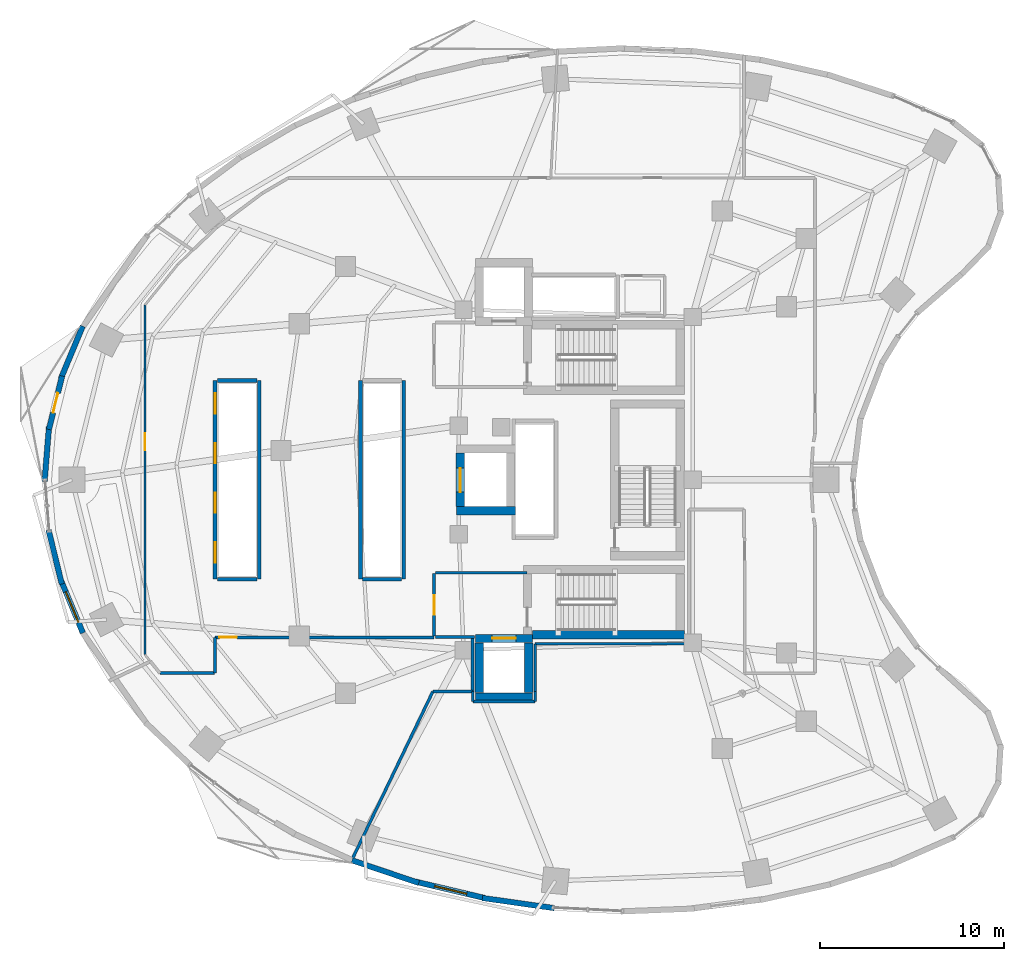
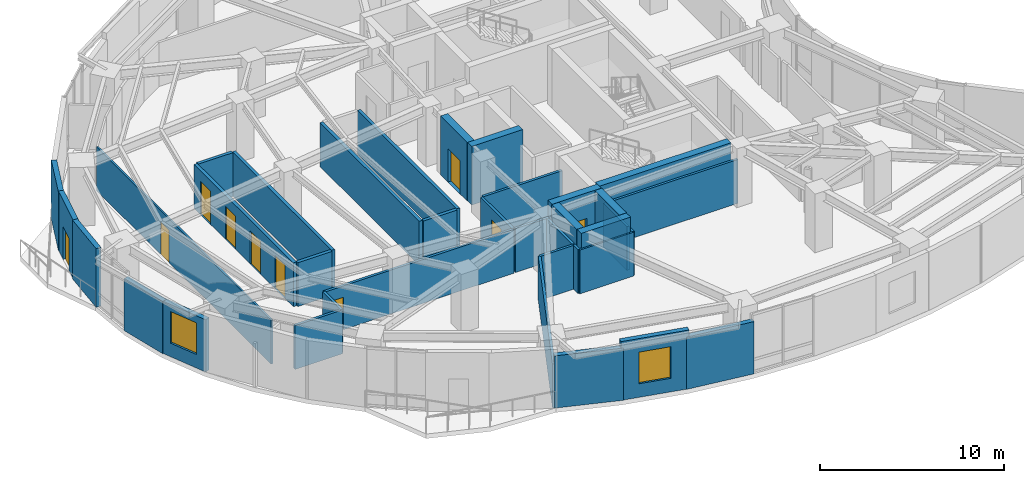
# One storey, part 8 of 13: 37 walls, 10 doors, 2 windows, 12 openings.
"""IFC4 building model written with IfcOpenShell, lengths in metres."""

from ifc_helpers import new_model, si_unit, direction, frame, frame_2d, origin, place, context, subcontext, project, spatial, rectangle, extrude, material, layer, layer_set, type_object, element, fill, save


model = new_model("IFC4")

# Units and contexts
model_context = context("Model", 3, precision=1e-05, world=origin(), true_north=direction((0.0, 1.0)))
body_context = subcontext(model_context, "Body", "Model", "MODEL_VIEW")
ifc_project = project(units=[si_unit("LENGTHUNIT", "METRE"), si_unit("AREAUNIT", "SQUARE_METRE"), si_unit("VOLUMEUNIT", "CUBIC_METRE"), si_unit("PLANEANGLEUNIT", "RADIAN"), si_unit("MASSUNIT", "GRAM", prefix="KILO")], contexts=[model_context])

# Site, building, storey
site_placement = place(None, origin())
site = spatial("IfcSite", under=ifc_project, at=site_placement, CompositionType="ELEMENT")
building_placement = place(site_placement, origin())
building = spatial("IfcBuilding", under=site, at=building_placement, Name="Korentha Bioscience Tower", CompositionType="ELEMENT")
storey_placement = place(building_placement, frame((0.0, 0.0, 67.800048828125)))
storey = spatial("IfcBuildingStorey", under=building, at=storey_placement, Name="L15", CompositionType="ELEMENT", Elevation=67.800048828125)

# Walls
ifc_material_1 = material(Name="Double-Stud Acoustic Gypsum", Category="gypsum")
ifc_layer_1 = layer(ifc_material_1, 0.14990234375, Name="Double-Stud Acoustic Gypsum")
ifc_layer_set_1 = layer_set([ifc_layer_1], Name="Double-Stud Acoustic Gypsum (IW-L150)")
wall_type_1 = type_object("IfcWallType", Name="Acoustic Laboratory Partition Wall 150", PredefinedType="PARTITIONING", material=ifc_layer_set_1)
wall_1_placement = place(storey_placement, frame((25.60400390625, 14.949951171875, 0.0), z_axis=(0.0, 0.0, 1.0), x_axis=(1.0, 0.0, 0.0)))
element("IfcWall", 1, at=wall_1_placement, inside=storey, type_object=wall_type_1, Name="L15 Interior Partition 017", PredefinedType="PARTITIONING", context=body_context, shape_type="SweptSolid", body=[
    extrude(rectangle(XDim=3.391845703125, YDim=0.14990234375, at=frame_2d((1.69580078125, 0.0))), origin(), (0.0, 0.0, 1.0), 2.909912109375),
])
wall_2_placement = place(storey_placement, frame((29.0, 14.9541015625, 0.0), z_axis=(0.0, 0.0, 1.0), x_axis=(0.0, 1.0, 0.0)))
element("IfcWall", 2, at=wall_2_placement, inside=storey, type_object=wall_type_1, Name="L15 Interior Partition 018", PredefinedType="PARTITIONING", context=body_context, shape_type="SweptSolid", body=[
    extrude(rectangle(XDim=0.543701171875, YDim=0.14990234375, at=frame_2d((0.27197265625, 0.0))), origin(), (0.0, 0.0, 1.0), 2.909912109375),
])
wall_3_placement = place(storey_placement, frame((29.0, 15.502197265625, 0.0), z_axis=(0.0, 0.0, 1.0), x_axis=(0.0, 1.0, 0.0)))
element("IfcWall", 3, at=wall_3_placement, inside=storey, type_object=wall_type_1, Name="L15 Interior Partition 019", PredefinedType="PARTITIONING", context=body_context, shape_type="SweptSolid", body=[
    extrude(rectangle(XDim=2.587890625, YDim=0.14990234375, at=frame_2d((1.2939453125, 0.0))), origin(), (0.0, 0.0, 1.0), 2.909912109375),
])
wall_4_placement = place(storey_placement, frame((29.0, 18.090087890625, 0.0), z_axis=(0.0, 0.0, 1.0), x_axis=(1.0, 0.0, 0.0)))
element("IfcWall", 4, at=wall_4_placement, inside=storey, type_object=wall_type_1, Name="L15 Interior Partition 020", PredefinedType="PARTITIONING", context=body_context, shape_type="SweptSolid", body=[
    extrude(rectangle(XDim=8.35009765625, YDim=0.14990234375, at=frame_2d((4.175048828125, 0.0))), origin(), (0.0, 0.0, 1.0), 2.909912109375),
])
wall_5_placement = place(storey_placement, frame((25.60009765625, 15.491943359375, 0.0), z_axis=(0.0, 0.0, 1.0), x_axis=(0.0, -1.0, 0.0)))
element("IfcWall", 5, at=wall_5_placement, inside=storey, type_object=wall_type_1, Name="L15 Interior Partition 030", PredefinedType="PARTITIONING", context=body_context, shape_type="SweptSolid", body=[
    extrude(rectangle(XDim=0.537841796875, YDim=0.14990234375, at=frame_2d((0.26904296875, 0.0))), origin(), (0.0, 0.0, 1.0), 2.909912109375),
])

# Wall, opening, door
ifc_material_2 = material(Name="Fire-Rated Framed Glass", Category="glass")
ifc_layer_2 = layer(ifc_material_2, 0.110107421875, Name="Fire-Rated Framed Glass")
ifc_layer_set_2 = layer_set([ifc_layer_2], Name="Fire-Rated Framed Glass (IW-G110)")
wall_type_2 = type_object("IfcWallType", Name="Demountable Glazed Office Partition 110", PredefinedType="MOVABLE", material=ifc_layer_set_2)
wall_6_placement = place(storey_placement, frame((7.7900390625, 36.501220703125, 0.0), z_axis=(0.0, 0.0, 1.0), x_axis=(0.0, -1.0, 0.0)))
wall_6 = element("IfcWall", 6, at=wall_6_placement, inside=storey, type_object=wall_type_2, Name="L15 Clinical Trials Data Office 06 Entrance Wall", PredefinedType="MOVABLE", context=body_context, shape_type="SweptSolid", body=[
    extrude(rectangle(XDim=19.00244140625, YDim=0.110107421875, at=frame_2d((9.501220703125, 0.0))), origin(), (0.0, 0.0, 1.0), 2.909912109375),
])
opening_1_placement = place(wall_6_placement, frame((6.956298828125, 0.0, 0.0)))
opening_1 = element("IfcOpeningElement", 7, at=opening_1_placement, cuts=wall_6, Name="Opening ID-10R", PredefinedType="OPENING", context=body_context, shape_type="SweptSolid", body=[
    extrude(rectangle(XDim=0.949951171875, YDim=2.14990234375, at=frame_2d((0.47509765625, 1.074951171875))), frame((0.0, 0.06982421875, 0.0), z_axis=(0.0, -1.0, 0.0), x_axis=(1.0, 0.0, 0.0)), (0.0, 0.0, 1.0), 0.139892578125),
])
ifc_material_3 = material(Name="Phenolic Laminate Timber Core", Category="wood")
door_type_1 = type_object("IfcDoorType", Name="Laboratory Single Leaf Door 950x2150 Right", OperationType="SINGLE_SWING_RIGHT", PredefinedType="DOOR", material=ifc_material_3)
door_1_placement = place(opening_1_placement, origin())
door_1 = element("IfcDoor", 8, at=door_1_placement, inside=storey, type_object=door_type_1, Name="L15 Clinical Trials Data Office 06 Door", OperationType="SINGLE_SWING_RIGHT", OverallHeight=2.14990234375, OverallWidth=0.949951171875, PredefinedType="DOOR", context=body_context, shape_type="SweptSolid", body=[
    extrude(rectangle(XDim=0.949951171875, YDim=2.14990234375, at=frame_2d((0.47509765625, 1.074951171875))), frame((0.0, 0.02490234375, 0.0), z_axis=(0.0, -1.0, 0.0), x_axis=(1.0, 0.0, 0.0)), (0.0, 0.0, 1.0), 0.050048828125),
])
fill(opening_1, door_1)

ifc_material_4 = material(Name="Gypsum-Clad Steel Stud", Category="steel")
ifc_layer_3 = layer(ifc_material_4, 0.159912109375, Name="Gypsum-Clad Steel Stud")
ifc_layer_set_3 = layer_set([ifc_layer_3], Name="Gypsum-Clad Steel Stud (IW-C160)")
wall_type_3 = type_object("IfcWallType", Name="Fire-Rated Corridor Partition Wall 160", PredefinedType="PARTITIONING", material=ifc_layer_set_3)
wall_7_placement = place(storey_placement, frame((23.5, 18.5, 0.0), z_axis=(0.0, 0.0, 1.0), x_axis=(0.0, 1.0, 0.0)))
wall_7 = element("IfcWall", 9, at=wall_7_placement, inside=storey, type_object=wall_type_3, Name="L15 FFLS-CW Rated Enclosure Wall", PredefinedType="PARTITIONING", context=body_context, shape_type="SweptSolid", body=[
    extrude(rectangle(XDim=3.39990234375, YDim=0.159912109375, at=frame_2d((1.699951171875, 0.0))), origin(), (0.0, 0.0, 1.0), 2.909912109375),
])
opening_2_placement = place(wall_7_placement, frame((1.175048828125, 0.0, 0.0)))
opening_2 = element("IfcOpeningElement", 10, at=opening_2_placement, cuts=wall_7, Name="Opening FD-90R", PredefinedType="OPENING", context=body_context, shape_type="SweptSolid", body=[
    extrude(rectangle(XDim=1.050048828125, YDim=2.14990234375, at=frame_2d((0.52490234375, 1.074951171875))), frame((0.0, 0.0947265625, 0.0), z_axis=(0.0, -1.0, 0.0), x_axis=(1.0, 0.0, 0.0)), (0.0, 0.0, 1.0), 0.189697265625),
])
ifc_material_5 = material(Name="Powder-Coated Fire-Rated Steel", Category="steel")
door_type_2 = type_object("IfcDoorType", Name="Stairwell Fire Exit Door 1050x2150 Right", OperationType="SINGLE_SWING_RIGHT", PredefinedType="DOOR", material=ifc_material_5)
door_2_placement = place(opening_2_placement, origin())
door_2 = element("IfcDoor", 11, at=door_2_placement, inside=storey, type_object=door_type_2, Name="L15 South Firefighting Lobby Door", OperationType="SINGLE_SWING_RIGHT", OverallHeight=2.14990234375, OverallWidth=1.050048828125, PredefinedType="DOOR", context=body_context, shape_type="SweptSolid", body=[
    extrude(rectangle(XDim=1.050048828125, YDim=2.14990234375, at=frame_2d((0.52490234375, 1.074951171875))), frame((0.0, 0.02490234375, 0.0), z_axis=(0.0, -1.0, 0.0), x_axis=(1.0, 0.0, 0.0)), (0.0, 0.0, 1.0), 0.050048828125),
])
fill(opening_2, door_2)

# Walls
wall_8_placement = place(storey_placement, frame((23.580078125, 21.949951171875, 0.0), z_axis=(0.0, 0.0, 1.0), x_axis=(1.0, 0.0, 0.0)))
element("IfcWall", 12, at=wall_8_placement, inside=storey, type_object=wall_type_3, Name="L15 Firefighting Lobby Return Wall FFLS-N", PredefinedType="PARTITIONING", context=body_context, shape_type="SweptSolid", body=[
    extrude(rectangle(XDim=4.969970703125, YDim=0.159912109375, at=frame_2d((2.48486328125, 0.0))), origin(), (0.0, 0.0, 1.0), 2.909912109375),
])
wall_9_placement = place(storey_placement, frame((23.580078125, 18.449951171875, 0.0), z_axis=(0.0, 0.0, 1.0), x_axis=(1.0, 0.0, 0.0)))
element("IfcWall", 13, at=wall_9_placement, inside=storey, type_object=wall_type_3, Name="L15 Firefighting Lobby Return Wall FFLS-S", PredefinedType="PARTITIONING", context=body_context, shape_type="SweptSolid", body=[
    extrude(rectangle(XDim=2.119873046875, YDim=0.159912109375, at=frame_2d((1.06005859375, 0.0))), origin(), (0.0, 0.0, 1.0), 2.909912109375),
])

# Wall, opening, door
wall_10_placement = place(storey_placement, frame((11.590087890625, 18.43994140625, 0.0), z_axis=(0.0, 0.0, 1.0), x_axis=(1.0, 0.0, 0.0)))
wall_10 = element("IfcWall", 14, at=wall_10_placement, inside=storey, type_object=wall_type_3, Name="L15 Biospecimen Archive Store 01 Entrance Wall", PredefinedType="PARTITIONING", context=body_context, shape_type="SweptSolid", body=[
    extrude(rectangle(XDim=11.89990234375, YDim=0.159912109375, at=frame_2d((5.949951171875, 0.0))), origin(), (0.0, 0.0, 1.0), 2.909912109375),
])
opening_3_placement = place(wall_10_placement, frame((0.239990234375, 0.0, 0.0)))
opening_3 = element("IfcOpeningElement", 15, at=opening_3_placement, cuts=wall_10, Name="Opening ID-10L", PredefinedType="OPENING", context=body_context, shape_type="SweptSolid", body=[
    extrude(rectangle(XDim=0.949951171875, YDim=2.14990234375, at=frame_2d((0.47509765625, 1.074951171875))), frame((0.0, 0.0947265625, 0.0), z_axis=(0.0, -1.0, 0.0), x_axis=(1.0, 0.0, 0.0)), (0.0, 0.0, 1.0), 0.189697265625),
])
door_type_3 = type_object("IfcDoorType", Name="Laboratory Single Leaf Door 950x2150 Left", OperationType="SINGLE_SWING_LEFT", PredefinedType="DOOR", material=ifc_material_3)
door_3_placement = place(opening_3_placement, origin())
door_3 = element("IfcDoor", 16, at=door_3_placement, inside=storey, type_object=door_type_3, Name="L15 Biospecimen Archive Store 01 Door", OperationType="SINGLE_SWING_LEFT", OverallHeight=2.14990234375, OverallWidth=0.949951171875, PredefinedType="DOOR", context=body_context, shape_type="SweptSolid", body=[
    extrude(rectangle(XDim=0.949951171875, YDim=2.14990234375, at=frame_2d((0.47509765625, 1.074951171875))), frame((0.0, 0.02490234375, 0.0), z_axis=(0.0, -1.0, 0.0), x_axis=(1.0, 0.0, 0.0)), (0.0, 0.0, 1.0), 0.050048828125),
])
fill(opening_3, door_3)

# Walls
wall_11_placement = place(storey_placement, frame((8.608642578125, 16.489990234375, 0.0), z_axis=(0.0, 0.0, 1.0), x_axis=(1.0, 0.0, 0.0)))
element("IfcWall", 17, at=wall_11_placement, inside=storey, type_object=wall_type_3, Name="L15 Interior Partition 012", PredefinedType="PARTITIONING", context=body_context, shape_type="SweptSolid", body=[
    extrude(rectangle(XDim=2.971435546875, YDim=0.159912109375, at=frame_2d((1.48583984375, 0.0))), origin(), (0.0, 0.0, 1.0), 2.909912109375),
])
wall_12_placement = place(storey_placement, frame((11.590087890625, 16.5, 0.0), z_axis=(0.0, 0.0, 1.0), x_axis=(0.0, 1.0, 0.0)))
element("IfcWall", 18, at=wall_12_placement, inside=storey, type_object=wall_type_3, Name="L15 Interior Partition 013", PredefinedType="PARTITIONING", context=body_context, shape_type="SweptSolid", body=[
    extrude(rectangle(XDim=1.93994140625, YDim=0.159912109375, at=frame_2d((0.969970703125, 0.0))), origin(), (0.0, 0.0, 1.0), 2.909912109375),
])
wall_13_placement = place(storey_placement, frame((25.60009765625, 18.435791015625, 0.0), z_axis=(0.0, 0.0, 1.0), x_axis=(0.0, -1.0, 0.0)))
element("IfcWall", 19, at=wall_13_placement, inside=storey, type_object=wall_type_3, Name="L15 Interior Partition 014", PredefinedType="PARTITIONING", context=body_context, shape_type="SweptSolid", body=[
    extrude(rectangle(XDim=2.93359375, YDim=0.159912109375, at=frame_2d((1.466796875, 0.0))), origin(), (0.0, 0.0, 1.0), 2.909912109375),
])
wall_14_placement = place(storey_placement, frame((25.599853515625, 15.501953125, 0.0), z_axis=(0.0, 0.0, 1.0), x_axis=(-1.0, 0.0, 0.0)))
element("IfcWall", 20, at=wall_14_placement, inside=storey, type_object=wall_type_3, Name="L15 Interior Partition 015", PredefinedType="PARTITIONING", context=body_context, shape_type="SweptSolid", body=[
    extrude(rectangle(XDim=2.1552734375, YDim=0.159912109375, at=frame_2d((1.07763671875, 0.0))), origin(), (0.0, 0.0, 1.0), 2.909912109375),
])
wall_15_placement = place(storey_placement, frame((23.43798828125, 15.497802734375, 0.0), z_axis=(0.0, 0.0, 1.0), x_axis=(-0.433521640822, -0.90114315563, 0.0)))
element("IfcWall", 21, at=wall_15_placement, inside=storey, type_object=wall_type_3, Name="L15 Interior Partition 016", PredefinedType="PARTITIONING", context=body_context, shape_type="SweptSolid", body=[
    extrude(rectangle(XDim=10.288330078125, YDim=0.159912109375, at=frame_2d((5.14404296875, 0.0))), origin(), (0.0, 0.0, 1.0), 2.909912109375),
])

# Wall, opening, door
ifc_material_6 = material(Name="Honed Limestone Precast Concrete C40", Category="masonry")
ifc_layer_4 = layer(ifc_material_6, 0.300048828125, Name="Honed Limestone Precast Concrete C40")
ifc_layer_set_4 = layer_set([ifc_layer_4], Name="Honed Limestone Precast Concrete C40 (EW-ST300)")
wall_type_4 = type_object("IfcWallType", Name="Honed Limestone Cavity Spandrel Wall 300", PredefinedType="STANDARD", material=ifc_layer_set_4)
wall_16_placement = place(storey_placement, frame((3.28466796875, 32.640625, 0.0), z_axis=(0.0, 0.0, 1.0), x_axis=(-0.238522035896, -0.971137085273, 0.0)))
wall_16 = element("IfcWall", 22, at=wall_16_placement, inside=storey, type_object=wall_type_4, Name="L15 Balcony Threshold Wall 02", PredefinedType="STANDARD", context=body_context, shape_type="SweptSolid", body=[
    extrude(rectangle(XDim=2.992919921875, YDim=0.300048828125, at=frame_2d((1.49658203125, 0.0))), origin(), (0.0, 0.0, 1.0), 3.89990234375),
])
opening_4_placement = place(wall_16_placement, frame((0.9462890625, 0.0, 0.0)))
opening_4 = element("IfcOpeningElement", 23, at=opening_4_placement, cuts=wall_16, Name="Opening BD-11R", PredefinedType="OPENING", context=body_context, shape_type="SweptSolid", body=[
    extrude(rectangle(XDim=1.10009765625, YDim=2.14990234375, at=frame_2d((0.550048828125, 1.074951171875))), frame((0.0, 0.1650390625, 0.0), z_axis=(0.0, -1.0, 0.0), x_axis=(1.0, 0.0, 0.0)), (0.0, 0.0, 1.0), 0.329833984375),
])
ifc_material_7 = material(Name="Thermally Broken Glazed Aluminium", Category="aluminium")
door_type_4 = type_object("IfcDoorType", Name="Balcony Terrace Glazed Door 1100x2150 Right", OperationType="SINGLE_SWING_RIGHT", PredefinedType="DOOR", material=ifc_material_7)
door_4_placement = place(opening_4_placement, origin())
door_4 = element("IfcDoor", 24, at=door_4_placement, inside=storey, type_object=door_type_4, Name="L15 Balcony Access Door 02", OperationType="SINGLE_SWING_RIGHT", OverallHeight=2.14990234375, OverallWidth=1.10009765625, PredefinedType="DOOR", context=body_context, shape_type="SweptSolid", body=[
    extrude(rectangle(XDim=1.10009765625, YDim=2.14990234375, at=frame_2d((0.550048828125, 1.074951171875))), frame((0.0, 0.02490234375, 0.0), z_axis=(0.0, -1.0, 0.0), x_axis=(1.0, 0.0, 0.0)), (0.0, 0.0, 1.0), 0.050048828125),
])
fill(opening_4, door_4)

# Wall, opening, window
wall_17_placement = place(storey_placement, frame((3.239501953125, 21.49658203125, 0.0), z_axis=(0.0, 0.0, 1.0), x_axis=(0.385358473275, -0.92276695166, 0.0)))
wall_17 = element("IfcWall", 25, at=wall_17_placement, inside=storey, type_object=wall_type_4, Name="L15 Honed Limestone Spandrel Wall 21", PredefinedType="STANDARD", context=body_context, shape_type="SweptSolid", body=[
    extrude(rectangle(XDim=3.0556640625, YDim=0.300048828125, at=frame_2d((1.52783203125, 0.0))), origin(), (0.0, 0.0, 1.0), 3.469970703125),
])
opening_5_placement = place(wall_17_placement, frame((0.627685546875, 0.0, 0.89990234375)))
opening_5 = element("IfcOpeningElement", 26, at=opening_5_placement, cuts=wall_17, Name="Opening WN-01", PredefinedType="OPENING", context=body_context, shape_type="SweptSolid", body=[
    extrude(rectangle(XDim=1.800048828125, YDim=2.10009765625, at=frame_2d((0.89990234375, 1.050048828125))), frame((0.0, 0.1650390625, 0.0), z_axis=(0.0, -1.0, 0.0), x_axis=(1.0, 0.0, 0.0)), (0.0, 0.0, 1.0), 0.329833984375),
])
ifc_material_8 = material(Name="Thermally Broken Aluminium Triple Glazing", Category="aluminium")
window_type = type_object("IfcWindowType", Name="Triple-Glazed Fixed Bioscience Window 1800x2100", PartitioningType="SINGLE_PANEL", PredefinedType="WINDOW", material=ifc_material_8)
window_1_placement = place(opening_5_placement, origin())
window_1 = element("IfcWindow", 27, at=window_1_placement, inside=storey, type_object=window_type, Name="L15 Facade Window 21", OverallHeight=2.10009765625, OverallWidth=1.800048828125, PartitioningType="SINGLE_PANEL", PredefinedType="WINDOW", context=body_context, shape_type="SweptSolid", body=[
    extrude(rectangle(XDim=1.800048828125, YDim=2.10009765625, at=frame_2d((0.89990234375, 1.050048828125))), frame((0.0, 0.030029296875, 0.0), z_axis=(0.0, -1.0, 0.0), x_axis=(1.0, 0.0, 0.0)), (0.0, 0.0, 1.0), 0.06005859375),
])
fill(opening_5, window_1)

wall_18_placement = place(storey_placement, frame((22.524658203125, 5.1533203125, 0.0), z_axis=(0.0, 0.0, 1.0), x_axis=(0.973186156802, -0.230018921417, 0.0)))
wall_18 = element("IfcWall", 28, at=wall_18_placement, inside=storey, type_object=wall_type_4, Name="L15 Honed Limestone Spandrel Wall 29", PredefinedType="STANDARD", context=body_context, shape_type="SweptSolid", body=[
    extrude(rectangle(XDim=3.861328125, YDim=0.300048828125, at=frame_2d((1.9306640625, 0.0))), origin(), (0.0, 0.0, 1.0), 3.89990234375),
])
opening_6_placement = place(wall_18_placement, frame((1.03076171875, 0.0, 0.89990234375)))
opening_6 = element("IfcOpeningElement", 29, at=opening_6_placement, cuts=wall_18, Name="Opening WN-01", PredefinedType="OPENING", context=body_context, shape_type="SweptSolid", body=[
    extrude(rectangle(XDim=1.800048828125, YDim=2.10009765625, at=frame_2d((0.89990234375, 1.050048828125))), frame((0.0, 0.1650390625, 0.0), z_axis=(0.0, -1.0, 0.0), x_axis=(1.0, 0.0, 0.0)), (0.0, 0.0, 1.0), 0.329833984375),
])
window_2_placement = place(opening_6_placement, origin())
window_2 = element("IfcWindow", 30, at=window_2_placement, inside=storey, type_object=window_type, Name="L15 Facade Window 29", OverallHeight=2.10009765625, OverallWidth=1.800048828125, PartitioningType="SINGLE_PANEL", PredefinedType="WINDOW", context=body_context, shape_type="SweptSolid", body=[
    extrude(rectangle(XDim=1.800048828125, YDim=2.10009765625, at=frame_2d((0.89990234375, 1.050048828125))), frame((0.0, 0.030029296875, 0.0), z_axis=(0.0, -1.0, 0.0), x_axis=(1.0, 0.0, 0.0)), (0.0, 0.0, 1.0), 0.06005859375),
])
fill(opening_6, window_2)

# Walls
wall_19_placement = place(storey_placement, frame((4.40625, 35.34912109375, 0.0), z_axis=(0.0, 0.0, 1.0), x_axis=(-0.38535448421, -0.922768617531, 0.0)))
element("IfcWall", 31, at=wall_19_placement, inside=storey, type_object=wall_type_4, Name="L15 Limestone Perimeter Closure Wall 16", PredefinedType="STANDARD", context=body_context, shape_type="SweptSolid", body=[
    extrude(rectangle(XDim=3.095458984375, YDim=0.300048828125, at=frame_2d((1.5478515625, 0.0))), origin(), (0.0, 0.0, 1.0), 3.89990234375),
])
wall_20_placement = place(storey_placement, frame((2.57568359375, 29.899169921875, 0.0), z_axis=(0.0, 0.0, 1.0), x_axis=(-0.080890160317, -0.996723021689, 0.0)))
element("IfcWall", 32, at=wall_20_placement, inside=storey, type_object=wall_type_4, Name="L15 Limestone Perimeter Closure Wall 18", PredefinedType="STANDARD", context=body_context, shape_type="SweptSolid", body=[
    extrude(rectangle(XDim=3.0, YDim=0.300048828125, at=frame_2d((1.5, 0.0))), origin(), (0.0, 0.0, 1.0), 3.89990234375),
])
wall_21_placement = place(storey_placement, frame((2.54638671875, 24.280517578125, 0.0), z_axis=(0.0, 0.0, 1.0), x_axis=(0.23859399274, -0.971119409047, 0.0)))
element("IfcWall", 33, at=wall_21_placement, inside=storey, type_object=wall_type_4, Name="L15 Limestone Perimeter Closure Wall 20", PredefinedType="STANDARD", context=body_context, shape_type="SweptSolid", body=[
    extrude(rectangle(XDim=3.032958984375, YDim=0.300048828125, at=frame_2d((1.5166015625, 0.0))), origin(), (0.0, 0.0, 1.0), 3.469970703125),
])
wall_22_placement = place(storey_placement, frame((19.0400390625, 6.32080078125, 0.0), z_axis=(0.0, 0.0, 1.0), x_axis=(0.94702579403, -0.321157508773, 0.0)))
element("IfcWall", 34, at=wall_22_placement, inside=storey, type_object=wall_type_4, Name="L15 Limestone Perimeter Closure Wall 28", PredefinedType="STANDARD", context=body_context, shape_type="SweptSolid", body=[
    extrude(rectangle(XDim=3.829833984375, YDim=0.300048828125, at=frame_2d((1.9150390625, 0.0))), origin(), (0.0, 0.0, 1.0), 3.469970703125),
])
wall_23_placement = place(storey_placement, frame((26.127685546875, 4.273193359375, 0.0), z_axis=(0.0, 0.0, 1.0), x_axis=(0.990165832998, -0.139898617443, 0.0)))
element("IfcWall", 35, at=wall_23_placement, inside=storey, type_object=wall_type_4, Name="L15 Limestone Perimeter Closure Wall 30", PredefinedType="STANDARD", context=body_context, shape_type="SweptSolid", body=[
    extrude(rectangle(XDim=3.950927734375, YDim=0.300048828125, at=frame_2d((1.9755859375, 0.0))), origin(), (0.0, 0.0, 1.0), 3.469970703125),
])

# Wall, openings, doors
ifc_material_9 = material(Name="Autoclaved Aerated Concrete Block C25", Category="concrete")
ifc_layer_5 = layer(ifc_material_9, 0.199951171875, Name="Autoclaved Aerated Concrete Block C25")
ifc_layer_set_5 = layer_set([ifc_layer_5], Name="Autoclaved Aerated Concrete Block C25 (IW-S200)")
wall_type_5 = type_object("IfcWallType", Name="Lift and Riser Shaft Enclosure Wall 200", PredefinedType="PARTITIONING", material=ifc_layer_set_5)
wall_24_placement = place(storey_placement, frame((11.60009765625, 21.60009765625, 0.0), z_axis=(0.0, 0.0, 1.0), x_axis=(0.0, 1.0, 0.0)))
wall_24 = element("IfcWall", 36, at=wall_24_placement, inside=storey, type_object=wall_type_5, Name="L15 Lift Bank LOW Shaft Wall -X", PredefinedType="PARTITIONING", context=body_context, shape_type="SweptSolid", body=[
    extrude(rectangle(XDim=10.7998046875, YDim=0.199951171875, at=frame_2d((5.39990234375, 0.0))), origin(), (0.0, 0.0, 1.0), 2.909912109375),
])
opening_7_placement = place(wall_24_placement, frame((0.89990234375, 0.0, 0.0)))
opening_7 = element("IfcOpeningElement", 37, at=opening_7_placement, cuts=wall_24, Name="Opening LD-11", PredefinedType="OPENING", context=body_context, shape_type="SweptSolid", body=[
    extrude(rectangle(XDim=1.10009765625, YDim=2.199951171875, at=frame_2d((0.550048828125, 1.10009765625))), frame((0.0, 0.11474609375, 0.0), z_axis=(0.0, -1.0, 0.0), x_axis=(1.0, 0.0, 0.0)), (0.0, 0.0, 1.0), 0.229736328125),
])
opening_8_placement = place(wall_24_placement, frame((3.60009765625, 0.0, 0.0)))
opening_8 = element("IfcOpeningElement", 38, at=opening_8_placement, cuts=wall_24, Name="Opening LD-11", PredefinedType="OPENING", context=body_context, shape_type="SweptSolid", body=[
    extrude(rectangle(XDim=1.10009765625, YDim=2.199951171875, at=frame_2d((0.550048828125, 1.10009765625))), frame((0.0, 0.11474609375, 0.0), z_axis=(0.0, -1.0, 0.0), x_axis=(1.0, 0.0, 0.0)), (0.0, 0.0, 1.0), 0.229736328125),
])
opening_9_placement = place(wall_24_placement, frame((6.300048828125, 0.0, 0.0)))
opening_9 = element("IfcOpeningElement", 39, at=opening_9_placement, cuts=wall_24, Name="Opening LD-11", PredefinedType="OPENING", context=body_context, shape_type="SweptSolid", body=[
    extrude(rectangle(XDim=1.10009765625, YDim=2.199951171875, at=frame_2d((0.550048828125, 1.10009765625))), frame((0.0, 0.11474609375, 0.0), z_axis=(0.0, -1.0, 0.0), x_axis=(1.0, 0.0, 0.0)), (0.0, 0.0, 1.0), 0.229736328125),
])
opening_10_placement = place(wall_24_placement, frame((9.0, 0.0, 0.0)))
opening_10 = element("IfcOpeningElement", 40, at=opening_10_placement, cuts=wall_24, Name="Opening LD-11", PredefinedType="OPENING", context=body_context, shape_type="SweptSolid", body=[
    extrude(rectangle(XDim=1.10009765625, YDim=2.199951171875, at=frame_2d((0.550048828125, 1.10009765625))), frame((0.0, 0.11474609375, 0.0), z_axis=(0.0, -1.0, 0.0), x_axis=(1.0, 0.0, 0.0)), (0.0, 0.0, 1.0), 0.229736328125),
])
ifc_material_10 = material(Name="Brushed Stainless Steel 304", Category="steel")
door_type_5 = type_object("IfcDoorType", Name="Passenger Lift Sliding Landing Door 1100x2200", OperationType="DOUBLE_DOOR_SLIDING", PredefinedType="DOOR", material=ifc_material_10)
door_5_placement = place(opening_7_placement, origin())
door_5 = element("IfcDoor", 41, at=door_5_placement, inside=storey, type_object=door_type_5, Name="L15 PL-L1 Sliding Lift Landing Door", OperationType="DOUBLE_DOOR_SLIDING", OverallHeight=2.199951171875, OverallWidth=1.10009765625, PredefinedType="DOOR", context=body_context, shape_type="SweptSolid", body=[
    extrude(rectangle(XDim=1.10009765625, YDim=2.199951171875, at=frame_2d((0.550048828125, 1.10009765625))), frame((0.0, 0.02490234375, 0.0), z_axis=(0.0, -1.0, 0.0), x_axis=(1.0, 0.0, 0.0)), (0.0, 0.0, 1.0), 0.050048828125),
])
fill(opening_7, door_5)
door_6_placement = place(opening_8_placement, origin())
door_6 = element("IfcDoor", 42, at=door_6_placement, inside=storey, type_object=door_type_5, Name="L15 PL-L2 Sliding Lift Landing Door", OperationType="DOUBLE_DOOR_SLIDING", OverallHeight=2.199951171875, OverallWidth=1.10009765625, PredefinedType="DOOR", context=body_context, shape_type="SweptSolid", body=[
    extrude(rectangle(XDim=1.10009765625, YDim=2.199951171875, at=frame_2d((0.550048828125, 1.10009765625))), frame((0.0, 0.02490234375, 0.0), z_axis=(0.0, -1.0, 0.0), x_axis=(1.0, 0.0, 0.0)), (0.0, 0.0, 1.0), 0.050048828125),
])
fill(opening_8, door_6)
door_7_placement = place(opening_9_placement, origin())
door_7 = element("IfcDoor", 43, at=door_7_placement, inside=storey, type_object=door_type_5, Name="L15 PL-L3 Sliding Lift Landing Door", OperationType="DOUBLE_DOOR_SLIDING", OverallHeight=2.199951171875, OverallWidth=1.10009765625, PredefinedType="DOOR", context=body_context, shape_type="SweptSolid", body=[
    extrude(rectangle(XDim=1.10009765625, YDim=2.199951171875, at=frame_2d((0.550048828125, 1.10009765625))), frame((0.0, 0.02490234375, 0.0), z_axis=(0.0, -1.0, 0.0), x_axis=(1.0, 0.0, 0.0)), (0.0, 0.0, 1.0), 0.050048828125),
])
fill(opening_9, door_7)
door_8_placement = place(opening_10_placement, origin())
door_8 = element("IfcDoor", 44, at=door_8_placement, inside=storey, type_object=door_type_5, Name="L15 PL-L4 Sliding Lift Landing Door", OperationType="DOUBLE_DOOR_SLIDING", OverallHeight=2.199951171875, OverallWidth=1.10009765625, PredefinedType="DOOR", context=body_context, shape_type="SweptSolid", body=[
    extrude(rectangle(XDim=1.10009765625, YDim=2.199951171875, at=frame_2d((0.550048828125, 1.10009765625))), frame((0.0, 0.02490234375, 0.0), z_axis=(0.0, -1.0, 0.0), x_axis=(1.0, 0.0, 0.0)), (0.0, 0.0, 1.0), 0.050048828125),
])
fill(opening_10, door_8)

# Walls
wall_25_placement = place(storey_placement, frame((14.0, 21.60009765625, 0.0), z_axis=(0.0, 0.0, 1.0), x_axis=(0.0, 1.0, 0.0)))
element("IfcWall", 45, at=wall_25_placement, inside=storey, type_object=wall_type_5, Name="L15 Lift Bank LOW Shaft Wall +X", PredefinedType="PARTITIONING", context=body_context, shape_type="SweptSolid", body=[
    extrude(rectangle(XDim=10.7998046875, YDim=0.199951171875, at=frame_2d((5.39990234375, 0.0))), origin(), (0.0, 0.0, 1.0), 2.909912109375),
])
for number, where, z_axis, x_axis, name in (
    (46, (11.719970703125, 21.60009765625, 0.0), (0.0, 0.0, 1.0), (1.0, 0.0, 0.0), "L15 Lift Bank LOW Shaft Wall -Y"),
    (47, (11.719970703125, 32.39990234375, 0.0), (0.0, 0.0, 1.0), (1.0, 0.0, 0.0), "L15 Lift Bank LOW Shaft Wall +Y"),
):
    element("IfcWall", number, at=place(storey_placement, frame(where, z_axis=z_axis, x_axis=x_axis)), inside=storey, type_object=wall_type_5, Name=name, PredefinedType="PARTITIONING", context=body_context, shape_type="SweptSolid", body=[
        extrude(rectangle(XDim=2.159912109375, YDim=0.199951171875, at=frame_2d((1.080078125, 0.0))), origin(), (0.0, 0.0, 1.0), 2.909912109375),
    ])
for number, where, z_axis, x_axis, name in (
    (48, (19.5, 21.60009765625, 0.0), (0.0, 0.0, 1.0), (0.0, 1.0, 0.0), "L15 Lift Bank MID Shaft Wall -X"),
    (49, (21.85009765625, 21.60009765625, 0.0), (0.0, 0.0, 1.0), (0.0, 1.0, 0.0), "L15 Lift Bank MID Shaft Wall +X"),
):
    element("IfcWall", number, at=place(storey_placement, frame(where, z_axis=z_axis, x_axis=x_axis)), inside=storey, type_object=wall_type_5, Name=name, PredefinedType="PARTITIONING", context=body_context, shape_type="SweptSolid", body=[
        extrude(rectangle(XDim=10.7998046875, YDim=0.199951171875, at=frame_2d((5.39990234375, 0.0))), origin(), (0.0, 0.0, 1.0), 2.909912109375),
    ])
wall_26_placement = place(storey_placement, frame((19.6201171875, 21.60009765625, 0.0), z_axis=(0.0, 0.0, 1.0), x_axis=(1.0, 0.0, 0.0)))
element("IfcWall", 50, at=wall_26_placement, inside=storey, type_object=wall_type_5, Name="L15 Lift Bank MID Shaft Wall -Y", PredefinedType="PARTITIONING", context=body_context, shape_type="SweptSolid", body=[
    extrude(rectangle(XDim=2.10986328125, YDim=0.199951171875, at=frame_2d((1.054931640625, 0.0))), origin(), (0.0, 0.0, 1.0), 2.909912109375),
])
ifc_material_11 = material(Name="Concrete C80", Category="concrete")
ifc_layer_6 = layer(ifc_material_11, 0.449951171875, Name="Concrete C80")
ifc_layer_set_6 = layer_set([ifc_layer_6], Name="Concrete C80 (CW-C80)")
wall_type_6 = type_object("IfcWallType", Name="Lower Core Shear Wall 450", PredefinedType="SHEAR", material=ifc_layer_set_6)
wall_27_placement = place(storey_placement, frame((28.85205078125, 18.574951171875, 0.0), z_axis=(0.0, 0.0, 1.0), x_axis=(1.0, 0.0, 0.0)))
element("IfcWall", 51, at=wall_27_placement, inside=storey, type_object=wall_type_6, Name="L15 Core Shear Wall ST2-S", PredefinedType="SHEAR", context=body_context, shape_type="SweptSolid", body=[
    extrude(rectangle(XDim=8.248046875, YDim=0.449951171875, at=frame_2d((4.1240234375, 0.0))), origin(), (0.0, 0.0, 1.0), 3.89990234375),
])
wall_28_placement = place(storey_placement, frame((25.75, 15.199951171875, 0.0), z_axis=(0.0, 0.0, 1.0), x_axis=(1.0, 0.0, 0.0)))
element("IfcWall", 52, at=wall_28_placement, inside=storey, type_object=wall_type_6, Name="L15 Core Shear Wall FFL1-S", PredefinedType="SHEAR", context=body_context, shape_type="SweptSolid", body=[
    extrude(rectangle(XDim=3.10009765625, YDim=0.449951171875, at=frame_2d((1.550048828125, 0.0))), origin(), (0.0, 0.0, 1.0), 3.89990234375),
])

# Wall, opening, door
wall_29_placement = place(storey_placement, frame((25.75, 18.3798828125, 0.0), z_axis=(0.0, 0.0, 1.0), x_axis=(1.0, 0.0, 0.0)))
wall_29 = element("IfcWall", 53, at=wall_29_placement, inside=storey, type_object=wall_type_6, Name="L15 Core Shear Wall FFL1-N", PredefinedType="SHEAR", context=body_context, shape_type="SweptSolid", body=[
    extrude(rectangle(XDim=3.10009765625, YDim=0.449951171875, at=frame_2d((1.550048828125, 0.0))), origin(), (0.0, 0.0, 1.0), 3.89990234375),
])
opening_11_placement = place(wall_29_placement, frame((0.89990234375, 0.0, 0.0)))
opening_11 = element("IfcOpeningElement", 54, at=opening_11_placement, cuts=wall_29, Name="Opening LD-13", PredefinedType="OPENING", context=body_context, shape_type="SweptSolid", body=[
    extrude(rectangle(XDim=1.300048828125, YDim=2.199951171875, at=frame_2d((0.64990234375, 1.10009765625))), frame((0.0, 0.23974609375, 0.0), z_axis=(0.0, -1.0, 0.0), x_axis=(1.0, 0.0, 0.0)), (0.0, 0.0, 1.0), 0.479736328125),
])
ifc_material_12 = material(Name="Brushed Stainless Steel 316", Category="steel")
door_type_6 = type_object("IfcDoorType", Name="Service & Firefighting Lift Landing Door 1300x2300", OperationType="DOUBLE_DOOR_SLIDING", PredefinedType="DOOR", material=ifc_material_12)
door_9_placement = place(opening_11_placement, origin())
door_9 = element("IfcDoor", 55, at=door_9_placement, inside=storey, type_object=door_type_6, Name="L15 FFL-1 Sliding Lift Landing Door", OperationType="DOUBLE_DOOR_SLIDING", OverallHeight=2.199951171875, OverallWidth=1.300048828125, PredefinedType="DOOR", context=body_context, shape_type="SweptSolid", body=[
    extrude(rectangle(XDim=1.300048828125, YDim=2.199951171875, at=frame_2d((0.64990234375, 1.10009765625))), frame((0.0, 0.02490234375, 0.0), z_axis=(0.0, -1.0, 0.0), x_axis=(1.0, 0.0, 0.0)), (0.0, 0.0, 1.0), 0.050048828125),
])
fill(opening_11, door_9)

# Walls
for number, where, z_axis, x_axis, name in (
    (56, (25.949951171875, 15.43994140625, 0.0), (0.0, 0.0, 1.0), (0.0, 1.0, 0.0), "L15 Core Shear Wall FFL1-W"),
    (57, (28.64990234375, 15.43994140625, 0.0), (0.0, 0.0, 1.0), (0.0, 1.0, 0.0), "L15 Core Shear Wall FFL1-E"),
):
    element("IfcWall", number, at=place(storey_placement, frame(where, z_axis=z_axis, x_axis=x_axis)), inside=storey, type_object=wall_type_6, Name=name, PredefinedType="SHEAR", context=body_context, shape_type="SweptSolid", body=[
        extrude(rectangle(XDim=2.699951171875, YDim=0.449951171875, at=frame_2d((1.35009765625, 0.0))), origin(), (0.0, 0.0, 1.0), 3.89990234375),
    ])
wall_30_placement = place(storey_placement, frame((24.719970703125, 25.320068359375, 0.0), z_axis=(0.0, 0.0, 1.0), x_axis=(1.0, 0.0, 0.0)))
element("IfcWall", 58, at=wall_30_placement, inside=storey, type_object=wall_type_6, Name="L15 Core Shear Wall SVL1-S", PredefinedType="SHEAR", context=body_context, shape_type="SweptSolid", body=[
    extrude(rectangle(XDim=3.2099609375, YDim=0.449951171875, at=frame_2d((1.60498046875, 0.0))), origin(), (0.0, 0.0, 1.0), 3.89990234375),
])

# Wall, opening, door
wall_31_placement = place(storey_placement, frame((24.919921875, 25.547119140625, 0.0), z_axis=(0.0, 0.0, 1.0), x_axis=(0.0, 1.0, 0.0)))
wall_31 = element("IfcWall", 59, at=wall_31_placement, inside=storey, type_object=wall_type_6, Name="L15 Core Shear Wall SVL1-W", PredefinedType="SHEAR", context=body_context, shape_type="SweptSolid", body=[
    extrude(rectangle(XDim=2.90576171875, YDim=0.449951171875, at=frame_2d((1.452880859375, 0.0))), origin(), (0.0, 0.0, 1.0), 3.89990234375),
])
opening_12_placement = place(wall_31_placement, frame((0.7900390625, 0.0, 0.0)))
opening_12 = element("IfcOpeningElement", 60, at=opening_12_placement, cuts=wall_31, Name="Opening LD-13", PredefinedType="OPENING", context=body_context, shape_type="SweptSolid", body=[
    extrude(rectangle(XDim=1.300048828125, YDim=2.199951171875, at=frame_2d((0.64990234375, 1.10009765625))), frame((0.0, 0.23974609375, 0.0), z_axis=(0.0, -1.0, 0.0), x_axis=(1.0, 0.0, 0.0)), (0.0, 0.0, 1.0), 0.479736328125),
])
door_10_placement = place(opening_12_placement, origin())
door_10 = element("IfcDoor", 61, at=door_10_placement, inside=storey, type_object=door_type_6, Name="L15 SVL-1 Sliding Lift Landing Door", OperationType="DOUBLE_DOOR_SLIDING", OverallHeight=2.199951171875, OverallWidth=1.300048828125, PredefinedType="DOOR", context=body_context, shape_type="SweptSolid", body=[
    extrude(rectangle(XDim=1.300048828125, YDim=2.199951171875, at=frame_2d((0.64990234375, 1.10009765625))), frame((0.0, 0.02490234375, 0.0), z_axis=(0.0, -1.0, 0.0), x_axis=(1.0, 0.0, 0.0)), (0.0, 0.0, 1.0), 0.050048828125),
])
fill(opening_12, door_10)

save(model, "model.ifc")
